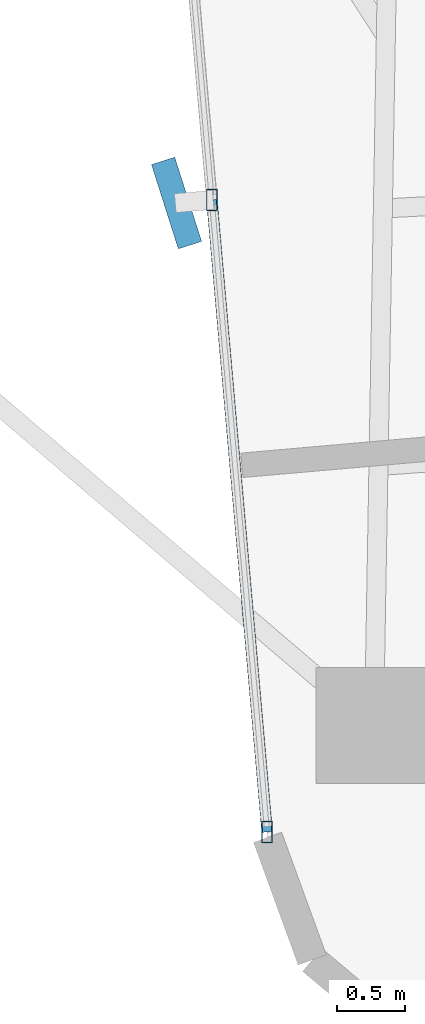
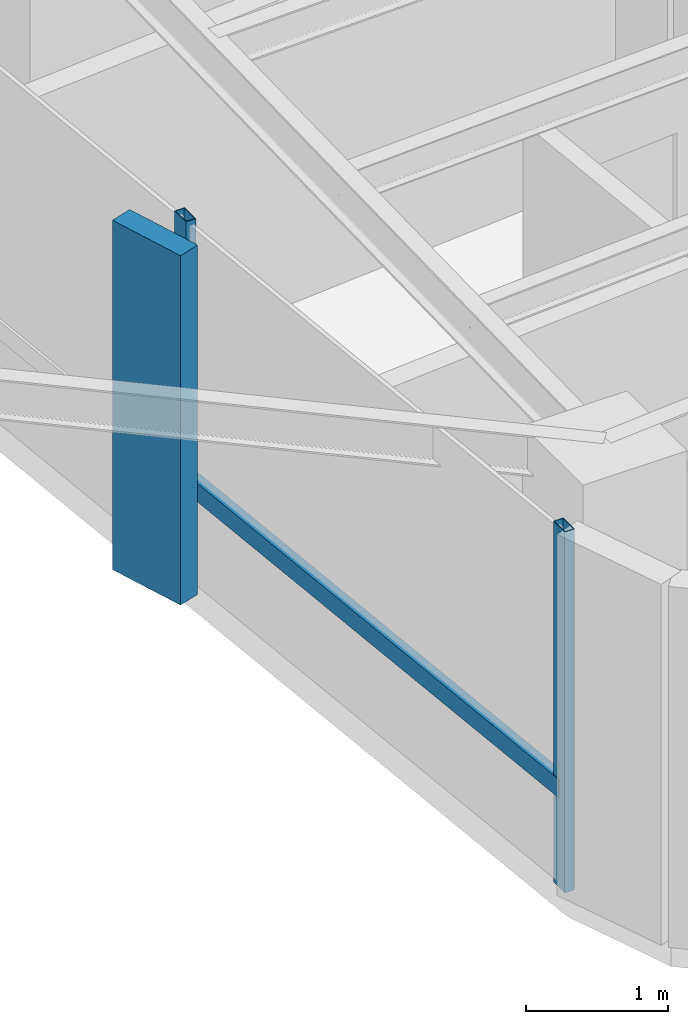
# One storey, part 2 of 24: 4 members, 1 element without a shape of its own.
"""IFC4 building model written with IfcOpenShell, lengths in metres."""

from ifc_helpers import new_model, si_unit, direction, frame, origin, origin_2d, place, context, subcontext, project, spatial, rectangle, hollow_rectangle, extrude, source, transform, mapped, material, material_profile, profile_set, type_object, element, aggregate, save


model = new_model("IFC4")

# Units and contexts
model_context = context("Model", 3, precision=1e-05, world=origin(), true_north=direction((0.0, 1.0)))
body_context = subcontext(model_context, "Body", "Model", "MODEL_VIEW")
ifc_project = project(units=[si_unit("LENGTHUNIT", "METRE"), si_unit("AREAUNIT", "SQUARE_METRE"), si_unit("VOLUMEUNIT", "CUBIC_METRE"), si_unit("PLANEANGLEUNIT", "RADIAN"), si_unit("MASSUNIT", "GRAM", prefix="KILO")], contexts=[model_context])

# Site, building, storey
site_placement = place(None, origin())
site = spatial("IfcSite", under=ifc_project, at=site_placement, CompositionType="ELEMENT")
building_placement = place(site_placement, origin())
building = spatial("IfcBuilding", under=site, at=building_placement, Name="Sahyath Konkavel Grand Hotel", CompositionType="ELEMENT")
storey_placement = place(building_placement, frame((0.0, 0.0, 157.300048828125)))
storey = spatial("IfcBuildingStorey", under=building, at=storey_placement, Name="L43", CompositionType="ELEMENT", Elevation=157.300048828125)

# Curtain wall, members
ifc_material_1 = material(Name="Anodised Bronze Aluminium & Low-E Glazing", Category="aluminium")
curtain_wall_type = type_object("IfcCurtainWallType", Name="CW-ZONE3", PredefinedType="NOTDEFINED", material=ifc_material_1)
curtain_wall_placement = place(storey_placement, origin())
curtain_wall = element("IfcCurtainWall", 1, at=curtain_wall_placement, inside=storey, type_object=curtain_wall_type, Name="L43 Unitised Curtain Wall F24", PredefinedType="NOTDEFINED")
ifc_material_2 = material(Name="Anodised Bronze Aluminium", Category="aluminium")
ifc_material_profile_1 = material_profile(ifc_material_2, hollow_rectangle(XDim=0.080078125, YDim=0.159912109375, WallThickness=0.006103515625, at=origin_2d()), Name="RHS 160x80x6")
ifc_profile_set_1 = profile_set([ifc_material_profile_1], Name="Anodised Bronze Aluminium")
member_type_1 = type_object("IfcMemberType", Name="CW-MUL-160", PredefinedType="MULLION", material=ifc_profile_set_1)
shared_shape_1 = source(origin(), body_context, "Body", "SweptSolid", [
    extrude(hollow_rectangle(XDim=0.080078125, YDim=0.159912109375, WallThickness=0.006103515625, at=origin_2d()), origin(), (0.0, 0.0, 1.0), 3.10986328125),
])
member_1_placement = place(storey_placement, frame((-5.12744140625, -14.251220703125, 0.0), z_axis=(0.0, 0.0, 1.0), x_axis=(1.0, 0.0, 0.0)))
member_1 = element("IfcMember", 2, at=member_1_placement, type_object=member_type_1, Name="L43 Curtain Wall Mullion F24-1", PredefinedType="MULLION", context=body_context, shape_type="MappedRepresentation", body=[
    mapped(shared_shape_1, transform((0.0, 0.0, 0.0), scale=1.0)),
])
member_2_placement = place(storey_placement, frame((-4.72119140625, -18.893310546875, 0.0), z_axis=(0.0, 0.0, 1.0), x_axis=(1.0, 0.0, 0.0)))
member_2 = element("IfcMember", 3, at=member_2_placement, type_object=member_type_1, Name="L43 Curtain Wall Mullion F24-2", PredefinedType="MULLION", context=body_context, shape_type="MappedRepresentation", body=[
    mapped(shared_shape_1, transform((0.0, 0.0, 0.0), scale=1.0)),
])
ifc_material_3 = material(Name="Warm Buff Sandstone Cladding on Concrete C50/60", Category="masonry")
ifc_material_profile_2 = material_profile(ifc_material_3, rectangle(XDim=0.179931640625, YDim=0.64990234375, at=origin_2d()), Name="FIN 180x650")
ifc_profile_set_2 = profile_set([ifc_material_profile_2], Name="Warm Buff Sandstone Cladding on Concrete C50/60")
member_type_2 = type_object("IfcMemberType", Name="FIN-SANDSTONE-650", PredefinedType="MULLION", material=ifc_profile_set_2)
shared_shape_2 = source(origin(), body_context, "Body", "SweptSolid", [
    extrude(rectangle(XDim=0.179931640625, YDim=0.64990234375, at=origin_2d()), origin(), (0.0, 0.0, 1.0), 3.010009765625),
])
member_3_placement = place(storey_placement, frame((-5.386474609375, -14.273681640625, 0.050048828125), z_axis=(0.0, 0.0, 1.0), x_axis=(0.952767550771, 0.303700500819, 0.0)))
member_3 = element("IfcMember", 4, at=member_3_placement, type_object=member_type_2, Name="L43 Sandstone Vertical Solar Fin FIN F24-1", PredefinedType="MULLION", context=body_context, shape_type="MappedRepresentation", body=[
    mapped(shared_shape_2, transform((0.0, 0.0, 0.0), scale=1.0)),
])
ifc_material_profile_3 = material_profile(ifc_material_2, hollow_rectangle(XDim=0.080078125, YDim=0.159912109375, WallThickness=0.006103515625, at=origin_2d()), Name="RHS 160x80x6")
ifc_profile_set_3 = profile_set([ifc_material_profile_3], Name="Anodised Bronze Aluminium")
member_type_3 = type_object("IfcMemberType", Name="CW-TRN-160", PredefinedType="USERDEFINED", material=ifc_profile_set_3)
shared_shape_3 = source(origin(), body_context, "Body", "SweptSolid", [
    extrude(hollow_rectangle(XDim=0.080078125, YDim=0.159912109375, WallThickness=0.006103515625, at=origin_2d()), origin(), (0.0, 0.0, 1.0), 4.659912109375),
])
member_4_placement = place(storey_placement, frame((-5.12744140625, -14.251220703125, 0.849853515625), z_axis=(0.087181248758, -0.996192466276, 0.0), x_axis=(0.996192466276, 0.087181248758, 0.0)))
member_4 = element("IfcMember", 5, at=member_4_placement, type_object=member_type_3, Name="L43 Curtain Wall Transom F24-1-spandrel", ObjectType="TRANSOM", PredefinedType="USERDEFINED", context=body_context, shape_type="MappedRepresentation", body=[
    mapped(shared_shape_3, transform((0.0, 0.0, 0.0), scale=1.0)),
])
aggregate(curtain_wall, [member_1, member_3, member_2, member_4])

save(model, "model.ifc")
